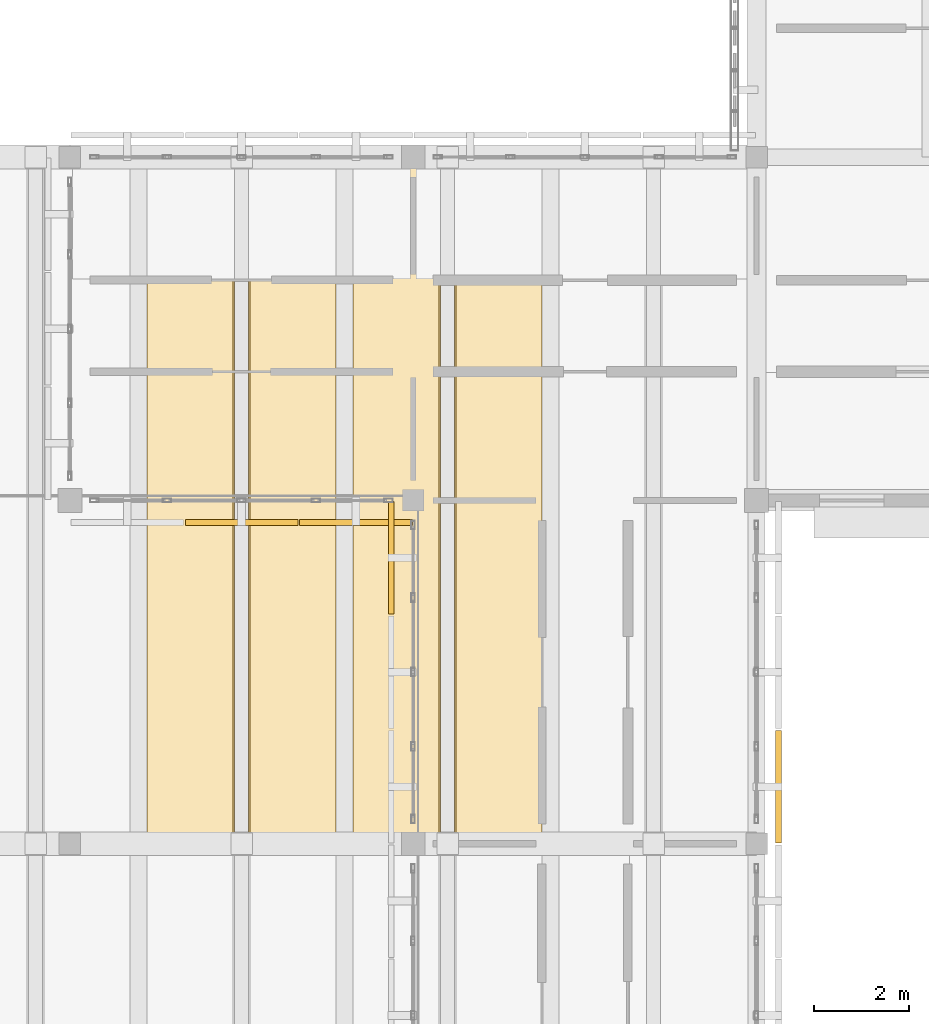
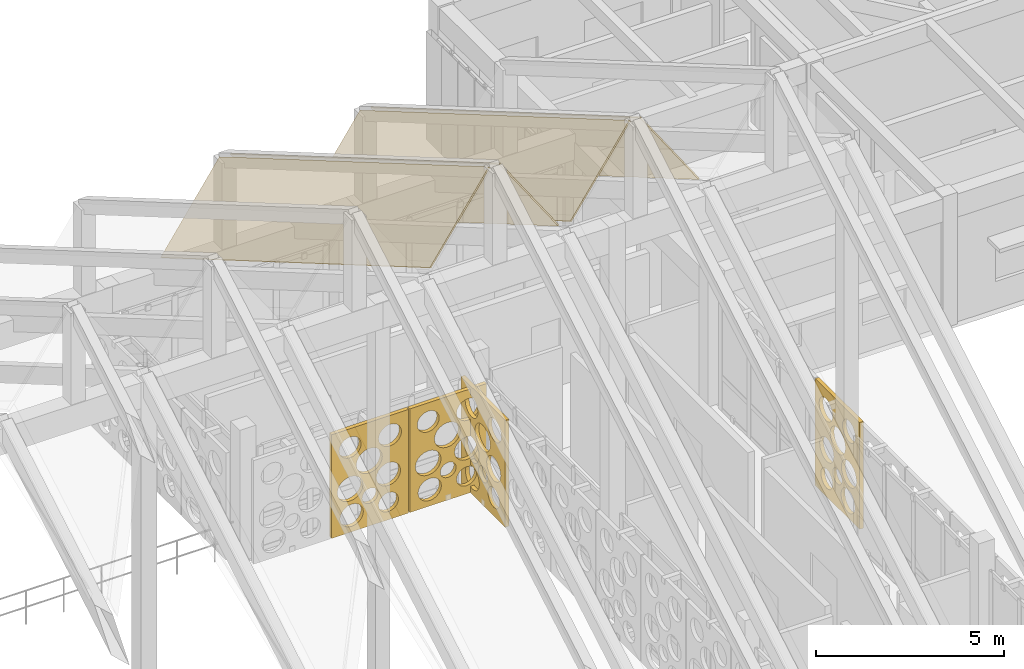
# One storey, part 163 of 171: 8 coverings.
"""IFC4 building model written with IfcOpenShell, lengths in metres."""

import ifcopenshell
import ifcopenshell.guid

model = None  # the IFC model being written
_history = None  # IfcOwnerHistory: only IFC2X3 demands one
_inside = {}  # id of a spatial element -> (the spatial element, [elements in it])
_under = {}  # id of a project, library or spatial element -> (it, [spatial elements below it])
_declared = {}  # id of a project -> (the project, [libraries it declares])
_typed = {}  # id of a type object -> (the type object, [elements of that type])
_made_of = {}  # id of a material, layer set ... -> (it, [elements and type objects made of it])


def new_model(schema):
    """Start an empty IFC model of exactly this schema.

    Asked for "IFC4X3", IfcOpenShell would pick the latest addendum, in which some entities
    have other attributes; the version numbers below select the first issue.
    IFC2X3 requires an IfcOwnerHistory on every rooted entity: one is made here for all.
    """
    global model, _history
    if schema == "IFC4X3":
        model = ifcopenshell.file(schema_version=(4, 3, 0, 0))
    else:
        model = ifcopenshell.file(schema=schema)
    _inside.clear()
    _under.clear()
    _declared.clear()
    _typed.clear()
    _made_of.clear()
    _history = None
    if model.schema == "IFC2X3":
        org = make("IfcOrganization", Name="unknown")
        user = make(
            "IfcPersonAndOrganization",
            ThePerson=make("IfcPerson", FamilyName="unknown"),
            TheOrganization=org,
        )
        app = make(
            "IfcApplication",
            ApplicationDeveloper=org,
            Version="unknown",
            ApplicationFullName="unknown",
            ApplicationIdentifier="unknown",
        )
        _history = make(
            "IfcOwnerHistory",
            OwningUser=user,
            OwningApplication=app,
            ChangeAction="ADDED",
            CreationDate=0,
        )
    return model


def make(cls, **values):
    """One entity of the class cls with the attributes given. An attribute that is None is left unset."""
    return model.create_entity(
        cls, **{name: value for name, value in values.items() if value is not None}
    )


def rooted(cls, **values):
    """An entity with a GlobalId (a new one), such as an element, a storey or a relation."""
    return make(cls, GlobalId=ifcopenshell.guid.new(), OwnerHistory=_history, **values)


def si_unit(unit_type, name, prefix=None):
    """IfcSIUnit, for example si_unit("LENGTHUNIT", "METRE", prefix="MILLI")."""
    return make("IfcSIUnit", UnitType=unit_type, Prefix=prefix, Name=name)


def assignment(units):
    """IfcUnitAssignment: the units of a project."""
    return None if units is None else make("IfcUnitAssignment", Units=units)


def point(xyz):
    """IfcCartesianPoint."""
    return None if xyz is None else make("IfcCartesianPoint", Coordinates=xyz)


def direction(xyz):
    """IfcDirection."""
    return None if xyz is None else make("IfcDirection", DirectionRatios=xyz)


def frame(location, z_axis=None, x_axis=None):
    """IfcAxis2Placement3D, a coordinate frame: its origin and axes. An axis left out is left unset."""
    return make(
        "IfcAxis2Placement3D",
        Location=point(location),
        Axis=direction(z_axis),
        RefDirection=direction(x_axis),
    )


def origin():
    """The frame at (0, 0, 0) with its axes left unset."""
    return frame((0.0, 0.0, 0.0))


def place(relative_to, where):
    """IfcLocalPlacement: puts the frame where relative to a parent placement (None: the world)."""
    return make(
        "IfcLocalPlacement", PlacementRelTo=relative_to, RelativePlacement=where
    )


def context(
    kind, dimensions, precision=None, world=None, true_north=None, identifier=None
):
    """IfcGeometricRepresentationContext, for example the 3D "Model" context."""
    return make(
        "IfcGeometricRepresentationContext",
        ContextIdentifier=identifier,
        ContextType=kind,
        CoordinateSpaceDimension=dimensions,
        Precision=precision,
        WorldCoordinateSystem=world,
        TrueNorth=true_north,
    )


def subcontext(parent, identifier, kind, view, scale=None):
    """IfcGeometricRepresentationSubContext, for example "Body" below "Model"."""
    return make(
        "IfcGeometricRepresentationSubContext",
        ContextIdentifier=identifier,
        ContextType=kind,
        ParentContext=parent,
        TargetScale=scale,
        TargetView=view,
    )


def project(units=None, contexts=None):
    """IfcProject with its units and contexts."""
    return rooted(
        "IfcProject",
        Name="project",
        RepresentationContexts=contexts,
        UnitsInContext=assignment(units),
    )


def spatial(cls, under=None, at=None, **own):
    """A site, building, storey or space (cls), placed at a placement, below another one or the project."""
    s = rooted(cls, ObjectPlacement=at, **own)
    if under is not None:
        _under.setdefault(under.id(), (under, []))[1].append(s)
    return s


def polyline(points):
    """IfcPolyline through the points."""
    return make("IfcPolyline", Points=[point(p) for p in points])


def outline(outer, holes=None, kind="AREA"):
    """IfcArbitraryClosedProfileDef: a profile drawn as a closed curve; with holes, ...WithVoids."""
    if holes is None:
        return make("IfcArbitraryClosedProfileDef", ProfileType=kind, OuterCurve=outer)
    return make(
        "IfcArbitraryProfileDefWithVoids",
        ProfileType=kind,
        OuterCurve=outer,
        InnerCurves=holes,
    )


def extrude(swept, where, along, depth):
    """IfcExtrudedAreaSolid: the profile swept, set in the frame where, extruded along a direction by depth."""
    return make(
        "IfcExtrudedAreaSolid",
        SweptArea=swept,
        Position=where,
        ExtrudedDirection=direction(along),
        Depth=depth,
    )


def shape(context_of_items, identifier, shape_type, items):
    """IfcShapeRepresentation: the items that make up one representation, for example the "Body"."""
    return make(
        "IfcShapeRepresentation",
        ContextOfItems=context_of_items,
        RepresentationIdentifier=identifier,
        RepresentationType=shape_type,
        Items=items,
    )


def material(Name=None, Category=None):
    """IfcMaterial."""
    return make("IfcMaterial", Name=Name, Category=Category)


def layer(
    of_material, thickness, ventilated=None, Name=None, Category=None, Priority=None
):
    """IfcMaterialLayer: one layer of a wall or slab, of a material (None: an air gap)."""
    return make(
        "IfcMaterialLayer",
        Material=of_material,
        LayerThickness=thickness,
        IsVentilated=ventilated,
        Name=Name,
        Category=Category,
        Priority=Priority,
    )


def layer_set(layers, Name=None):
    """IfcMaterialLayerSet."""
    return make("IfcMaterialLayerSet", MaterialLayers=layers, LayerSetName=Name)


def made_of(thing, what):
    """Note that an element or type object is made of a material, layer set ...; save() writes the relation."""
    if what is not None:
        _made_of.setdefault(what.id(), (what, []))[1].append(thing)
    return thing


def type_object(cls, material=None, **own):
    """A type object (cls), such as IfcWallType, which elements share."""
    return made_of(rooted(cls, **own), material)


def element(
    cls,
    number,
    at=None,
    inside=None,
    cuts=None,
    type_object=None,
    material=None,
    context=None,
    identifier="Body",
    shape_type=None,
    held_by="IfcProductDefinitionShape",
    body=None,
    shapes=None,
    **own,
):
    """One element of the class cls, such as IfcWall. Its Tag is "e" and its number.

    at: its placement. inside: the storey or other place that contains it. cuts: it is an
    opening in that element (IfcRelVoidsElement). A single representation is given by context,
    identifier, shape_type and body (its items); several are given by shapes. held_by: the class
    of the entity that holds the representations. save() writes the other relations.
    """
    e = rooted(cls, Tag="e%d" % number, ObjectPlacement=at, **own)
    if body is not None:
        shapes = [shape(context, identifier, shape_type, body)]
    if shapes is not None:
        e.Representation = make(held_by, Representations=shapes)
    if inside is not None:
        _inside.setdefault(inside.id(), (inside, []))[1].append(e)
    if cuts is not None:
        rooted(
            "IfcRelVoidsElement", RelatingBuildingElement=cuts, RelatedOpeningElement=e
        )
    if type_object is not None:
        _typed.setdefault(type_object.id(), (type_object, []))[1].append(e)
    return made_of(e, material)


def aggregate(whole, parts):
    """IfcRelAggregates: a whole, such as a stair, and the parts it consists of."""
    return rooted("IfcRelAggregates", RelatingObject=whole, RelatedObjects=parts)


def save(model, path):
    """Write the relations noted so far, then the file.

    IfcRelAggregates (storeys below a building ...), IfcRelContainedInSpatialStructure (elements
    in a storey), IfcRelDefinesByType, IfcRelAssociatesMaterial and IfcRelDeclares: one each for
    every whole, place, type object, material and project.
    """
    for whole, parts in _under.values():
        aggregate(whole, parts)
    for where, things in _inside.values():
        rooted(
            "IfcRelContainedInSpatialStructure",
            RelatedElements=things,
            RelatingStructure=where,
        )
    for kind, things in _typed.values():
        rooted("IfcRelDefinesByType", RelatedObjects=things, RelatingType=kind)
    for what, things in _made_of.values():
        rooted("IfcRelAssociatesMaterial", RelatedObjects=things, RelatingMaterial=what)
    for by, libraries in _declared.values():
        rooted("IfcRelDeclares", RelatingContext=by, RelatedDefinitions=libraries)
    model.write(path)


model = new_model("IFC4")

# Units and contexts
model_context = context("Model", 3, precision=1e-05, world=origin(), true_north=direction((0.0, 1.0)))
body_context = subcontext(model_context, "Body", "Model", "MODEL_VIEW")
ifc_project = project(units=[si_unit("LENGTHUNIT", "METRE"), si_unit("AREAUNIT", "SQUARE_METRE"), si_unit("VOLUMEUNIT", "CUBIC_METRE"), si_unit("PLANEANGLEUNIT", "RADIAN"), si_unit("MASSUNIT", "GRAM", prefix="KILO")], contexts=[model_context])

# Site, building, storey
site_placement = place(None, origin())
site = spatial("IfcSite", under=ifc_project, at=site_placement, CompositionType="ELEMENT")
building_placement = place(site_placement, origin())
building = spatial("IfcBuilding", under=site, at=building_placement, Name="Aldebral Square Health Centre", CompositionType="ELEMENT")
storey_placement = place(building_placement, frame((0.0, 0.0, 4.5)))
storey = spatial("IfcBuildingStorey", under=building, at=storey_placement, Name="L01", CompositionType="ELEMENT", Elevation=4.5)

# Coverings
ifc_material_1 = material(Name="Insulated mineral standing-seam roofing")
ifc_layer_1 = layer(ifc_material_1, 0.0400390625, Name="Insulated mineral standing-seam roofing")
ifc_layer_set_1 = layer_set([ifc_layer_1], Name="Insulated mineral standing-seam roofing")
covering_type_1 = type_object("IfcCoveringType", Name="COV-RF-40", PredefinedType="ROOFING", material=ifc_layer_set_1)
covering_1_placement = place(storey_placement, frame((97.02490234375, 100.800048828125, 7.37451171875), z_axis=(-0.783166464322, 0.313311395424, 0.537109168288), x_axis=(-0.565586180238, 0.0, -0.824689197652)))
element("IfcCovering", 1, at=covering_1_placement, inside=storey, type_object=covering_type_1, Name="Waiting Hall folded-plate roof bay 8 NW standing-seam roofing", PredefinedType="ROOFING", context=body_context, shape_type="SweptSolid", body=[
    extrude(outline(polyline([(0.0, 0.0), (3.19989157507911, 0.0), (-3.6986255096734153, 15.100385570024907), (-6.898517084752526, 15.100385570024907), (0.0, 0.0)])), origin(), (0.0, 0.0, -1.0), 0.0400390625),
])
covering_2_placement = place(storey_placement, frame((99.18505859375, 100.800048828125, 4.735595703125), z_axis=(0.783125616046, 0.3133373167, 0.537153605085), x_axis=(-0.565638067086, 0.0, 0.82465361035)))
element("IfcCovering", 2, at=covering_2_placement, inside=storey, type_object=covering_type_1, Name="Waiting Hall folded-plate roof bay 8 NE standing-seam roofing", PredefinedType="ROOFING", context=body_context, shape_type="SweptSolid", body=[
    extrude(outline(polyline([(0.0, 0.0), (3.2000296639766255, 5.551115123125783e-17), (10.09824906129536, 15.100521563128028), (6.898219397318735, 15.100521563128028), (0.0, 0.0)])), origin(), (0.0, 0.0, -1.0), 0.0400390625),
])
covering_3_placement = place(storey_placement, frame((101.344970703125, 100.800048828125, 7.37451171875), z_axis=(-0.783125616046, 0.3133373167, 0.537153605085), x_axis=(-0.565638067086, 0.0, -0.82465361035)))
element("IfcCovering", 3, at=covering_3_placement, inside=storey, type_object=covering_type_1, Name="Waiting Hall folded-plate roof bay 9 NW standing-seam roofing", PredefinedType="ROOFING", context=body_context, shape_type="SweptSolid", body=[
    extrude(outline(polyline([(0.0, 0.0), (3.2000296639766255, -5.551115123125783e-17), (-3.6981897333421103, 15.100521563128028), (-6.898219397318735, 15.100521563128028), (0.0, 0.0)])), origin(), (0.0, 0.0, -1.0), 0.0400390625),
])
covering_4_placement = place(storey_placement, frame((103.5048828125, 100.800048828125, 4.735595703125), z_axis=(0.783166464322, 0.313311395424, 0.537109168288), x_axis=(-0.565586180238, 0.0, 0.824689197652)))
element("IfcCovering", 4, at=covering_4_placement, inside=storey, type_object=covering_type_1, Name="Waiting Hall folded-plate roof bay 9 NE standing-seam roofing", PredefinedType="ROOFING", context=body_context, shape_type="SweptSolid", body=[
    extrude(outline(polyline([(0.0, 0.0), (3.19989157507911, 0.0), (10.098408659831637, 15.100385570024905), (6.898517084752526, 15.100385570024907), (0.0, 0.0)])), origin(), (0.0, 0.0, -1.0), 0.0400390625),
])
ifc_material_2 = material(Name="Cream cantera perforated stone screen", Category="masonry")
ifc_layer_2 = layer(ifc_material_2, 0.1201171875, Name="Cream cantera perforated stone screen", Category="masonry")
ifc_layer_set_2 = layer_set([ifc_layer_2], Name="Cream cantera perforated stone screen")
covering_type_2 = type_object("IfcCoveringType", Name="COV-SCR-120", PredefinedType="CLADDING", material=ifc_layer_set_2)
covering_5_placement = place(storey_placement, frame((96.02001953125, 93.139892578125, 0.0), z_axis=(0.0, 0.0, 1.0), x_axis=(1.0, 0.0, 0.0)))
element("IfcCovering", 5, at=covering_5_placement, inside=storey, type_object=covering_type_2, Name="L01 V1 circular-aperture stone screen L01-V1-13-13-S.2", PredefinedType="CLADDING", context=body_context, shape_type="SweptSolid", body=[
    extrude(outline(polyline([(0.0, 0.0), (2.35986328125, 0.0), (2.35986328125, 3.3701171875), (0.0, 3.3701171875), (0.0, 0.0)]), holes=[polyline([(0.973388671875, 0.539306640625), (0.955810546875, 0.427978515625), (0.90478515625, 0.32763671875), (0.8251953125, 0.248046875), (0.724853515625, 0.197021484375), (0.613525390625, 0.17919921875), (0.50244140625, 0.197021484375), (0.402099609375, 0.248046875), (0.322509765625, 0.32763671875), (0.271240234375, 0.427978515625), (0.253662109375, 0.539306640625), (0.271240234375, 0.650390625), (0.322509765625, 0.750732421875), (0.402099609375, 0.830322265625), (0.50244140625, 0.881591796875), (0.613525390625, 0.899169921875), (0.724853515625, 0.881591796875), (0.8251953125, 0.830322265625), (0.90478515625, 0.750732421875), (0.955810546875, 0.650390625), (0.973388671875, 0.539306640625)]), polyline([(2.0546875, 0.572998046875), (2.039794921875, 0.4775390625), (1.995849609375, 0.3916015625), (1.927734375, 0.323486328125), (1.841796875, 0.279541015625), (1.746337890625, 0.264404296875), (1.651123046875, 0.279541015625), (1.565185546875, 0.323486328125), (1.496826171875, 0.3916015625), (1.453125, 0.4775390625), (1.43798828125, 0.572998046875), (1.453125, 0.668212890625), (1.496826171875, 0.754150390625), (1.565185546875, 0.822509765625), (1.651123046875, 0.8662109375), (1.746337890625, 0.88134765625), (1.841796875, 0.8662109375), (1.927734375, 0.822509765625), (1.995849609375, 0.754150390625), (2.039794921875, 0.668212890625), (2.0546875, 0.572998046875)]), polyline([(0.9619140625, 1.415283203125), (0.942626953125, 1.293212890625), (0.886474609375, 1.182861328125), (0.798828125, 1.095458984375), (0.688720703125, 1.039306640625), (0.56640625, 1.02001953125), (0.444091796875, 1.039306640625), (0.333984375, 1.095458984375), (0.246337890625, 1.182861328125), (0.190185546875, 1.293212890625), (0.1708984375, 1.415283203125), (0.190185546875, 1.53759765625), (0.246337890625, 1.64794921875), (0.333984375, 1.7353515625), (0.444091796875, 1.79150390625), (0.56640625, 1.810791015625), (0.688720703125, 1.79150390625), (0.798828125, 1.7353515625), (0.886474609375, 1.64794921875), (0.942626953125, 1.53759765625), (0.9619140625, 1.415283203125)]), polyline([(2.117919921875, 1.48291015625), (2.099853515625, 1.367919921875), (2.047119140625, 1.264404296875), (1.96484375, 1.18212890625), (1.861328125, 1.12939453125), (1.746337890625, 1.111083984375), (1.631591796875, 1.12939453125), (1.528076171875, 1.18212890625), (1.44580078125, 1.264404296875), (1.39306640625, 1.367919921875), (1.374755859375, 1.48291015625), (1.39306640625, 1.59765625), (1.44580078125, 1.701171875), (1.528076171875, 1.783447265625), (1.631591796875, 1.836181640625), (1.746337890625, 1.8544921875), (1.861328125, 1.836181640625), (1.96484375, 1.783447265625), (2.047119140625, 1.701171875), (2.099853515625, 1.59765625), (2.117919921875, 1.48291015625)]), polyline([(1.4248046875, 0.977294921875), (1.412841796875, 0.901611328125), (1.3779296875, 0.83349609375), (1.32373046875, 0.779296875), (1.255615234375, 0.74462890625), (1.179931640625, 0.732666015625), (1.1044921875, 0.74462890625), (1.0361328125, 0.779296875), (0.98193359375, 0.83349609375), (0.947265625, 0.901611328125), (0.935302734375, 0.977294921875), (0.947265625, 1.052978515625), (0.98193359375, 1.12109375), (1.0361328125, 1.17529296875), (1.1044921875, 1.2099609375), (1.179931640625, 1.221923828125), (1.255615234375, 1.2099609375), (1.32373046875, 1.17529296875), (1.3779296875, 1.12109375), (1.412841796875, 1.052978515625), (1.4248046875, 0.977294921875)]), polyline([(1.555419921875, 2.123046875), (1.535888671875, 1.999755859375), (1.479248046875, 1.888427734375), (1.390869140625, 1.80029296875), (1.27978515625, 1.74365234375), (1.156494140625, 1.72412109375), (1.032958984375, 1.74365234375), (0.921875, 1.80029296875), (0.83349609375, 1.888427734375), (0.77685546875, 1.999755859375), (0.75732421875, 2.123046875), (0.77685546875, 2.246337890625), (0.83349609375, 2.357666015625), (0.921875, 2.446044921875), (1.032958984375, 2.502685546875), (1.156494140625, 2.522216796875), (1.27978515625, 2.502685546875), (1.390869140625, 2.446044921875), (1.479248046875, 2.357666015625), (1.535888671875, 2.246337890625), (1.555419921875, 2.123046875)]), polyline([(0.904296875, 2.763427734375), (0.8876953125, 2.658935546875), (0.839599609375, 2.56494140625), (0.764892578125, 2.490234375), (0.6708984375, 2.442138671875), (0.56640625, 2.425537109375), (0.4619140625, 2.442138671875), (0.367919921875, 2.490234375), (0.293212890625, 2.56494140625), (0.2451171875, 2.658935546875), (0.228515625, 2.763427734375), (0.2451171875, 2.86767578125), (0.293212890625, 2.9619140625), (0.367919921875, 3.03662109375), (0.4619140625, 3.084716796875), (0.56640625, 3.101318359375), (0.6708984375, 3.084716796875), (0.764892578125, 3.03662109375), (0.839599609375, 2.9619140625), (0.8876953125, 2.86767578125), (0.904296875, 2.763427734375)]), polyline([(2.14599609375, 2.729736328125), (2.12890625, 2.620849609375), (2.078857421875, 2.5224609375), (2.000732421875, 2.444580078125), (1.902587890625, 2.39453125), (1.793701171875, 2.377197265625), (1.6845703125, 2.39453125), (1.58642578125, 2.444580078125), (1.50830078125, 2.5224609375), (1.458251953125, 2.620849609375), (1.441162109375, 2.729736328125), (1.458251953125, 2.838623046875), (1.50830078125, 2.93701171875), (1.58642578125, 3.014892578125), (1.6845703125, 3.06494140625), (1.793701171875, 3.082275390625), (1.902587890625, 3.06494140625), (2.000732421875, 3.014892578125), (2.078857421875, 2.93701171875), (2.12890625, 2.838623046875), (2.14599609375, 2.729736328125)])]), frame((0.0, 0.06005859375, 0.0), z_axis=(0.0, -1.0, 0.0), x_axis=(1.0, 0.0, 0.0)), (0.0, 0.0, 1.0), 0.1201171875),
])
covering_6_placement = place(storey_placement, frame((98.419921875, 93.139892578125, 0.0), z_axis=(0.0, 0.0, 1.0), x_axis=(1.0, 0.0, 0.0)))
element("IfcCovering", 6, at=covering_6_placement, inside=storey, type_object=covering_type_2, Name="L01 V1 circular-aperture stone screen L01-V1-13-13-S.3", PredefinedType="CLADDING", context=body_context, shape_type="SweptSolid", body=[
    extrude(outline(polyline([(0.0, 0.0), (2.360107421875, 0.0), (2.360107421875, 3.3701171875), (0.0, 3.3701171875), (0.0, 0.0)]), holes=[polyline([(0.973388671875, 0.539306640625), (0.955810546875, 0.427978515625), (0.90478515625, 0.32763671875), (0.8251953125, 0.248046875), (0.724853515625, 0.197021484375), (0.613525390625, 0.17919921875), (0.50244140625, 0.197021484375), (0.402099609375, 0.248046875), (0.322509765625, 0.32763671875), (0.271240234375, 0.427978515625), (0.253662109375, 0.539306640625), (0.271240234375, 0.650390625), (0.322509765625, 0.750732421875), (0.402099609375, 0.830322265625), (0.50244140625, 0.881591796875), (0.613525390625, 0.899169921875), (0.724853515625, 0.881591796875), (0.8251953125, 0.830322265625), (0.90478515625, 0.750732421875), (0.955810546875, 0.650390625), (0.973388671875, 0.539306640625)]), polyline([(2.0546875, 0.572998046875), (2.039794921875, 0.4775390625), (1.995849609375, 0.3916015625), (1.927734375, 0.323486328125), (1.841796875, 0.279541015625), (1.746337890625, 0.264404296875), (1.651123046875, 0.279541015625), (1.565185546875, 0.323486328125), (1.496826171875, 0.3916015625), (1.453125, 0.4775390625), (1.43798828125, 0.572998046875), (1.453125, 0.668212890625), (1.496826171875, 0.754150390625), (1.565185546875, 0.822509765625), (1.651123046875, 0.8662109375), (1.746337890625, 0.88134765625), (1.841796875, 0.8662109375), (1.927734375, 0.822509765625), (1.995849609375, 0.754150390625), (2.039794921875, 0.668212890625), (2.0546875, 0.572998046875)]), polyline([(0.9619140625, 1.415283203125), (0.942626953125, 1.293212890625), (0.886474609375, 1.182861328125), (0.798828125, 1.095458984375), (0.688720703125, 1.039306640625), (0.56640625, 1.02001953125), (0.444091796875, 1.039306640625), (0.333984375, 1.095458984375), (0.246337890625, 1.182861328125), (0.190185546875, 1.293212890625), (0.1708984375, 1.415283203125), (0.190185546875, 1.53759765625), (0.246337890625, 1.64794921875), (0.333984375, 1.7353515625), (0.444091796875, 1.79150390625), (0.56640625, 1.810791015625), (0.688720703125, 1.79150390625), (0.798828125, 1.7353515625), (0.886474609375, 1.64794921875), (0.942626953125, 1.53759765625), (0.9619140625, 1.415283203125)]), polyline([(2.117919921875, 1.48291015625), (2.099853515625, 1.367919921875), (2.047119140625, 1.264404296875), (1.96484375, 1.18212890625), (1.861328125, 1.12939453125), (1.746337890625, 1.111083984375), (1.631591796875, 1.12939453125), (1.528076171875, 1.18212890625), (1.44580078125, 1.264404296875), (1.39306640625, 1.367919921875), (1.374755859375, 1.48291015625), (1.39306640625, 1.59765625), (1.44580078125, 1.701171875), (1.528076171875, 1.783447265625), (1.631591796875, 1.836181640625), (1.746337890625, 1.8544921875), (1.861328125, 1.836181640625), (1.96484375, 1.783447265625), (2.047119140625, 1.701171875), (2.099853515625, 1.59765625), (2.117919921875, 1.48291015625)]), polyline([(1.4248046875, 0.977294921875), (1.412841796875, 0.901611328125), (1.3779296875, 0.83349609375), (1.32373046875, 0.779296875), (1.255615234375, 0.74462890625), (1.179931640625, 0.732666015625), (1.1044921875, 0.74462890625), (1.0361328125, 0.779296875), (0.98193359375, 0.83349609375), (0.947265625, 0.901611328125), (0.935302734375, 0.977294921875), (0.947265625, 1.052978515625), (0.98193359375, 1.12109375), (1.0361328125, 1.17529296875), (1.1044921875, 1.2099609375), (1.179931640625, 1.221923828125), (1.255615234375, 1.2099609375), (1.32373046875, 1.17529296875), (1.3779296875, 1.12109375), (1.412841796875, 1.052978515625), (1.4248046875, 0.977294921875)]), polyline([(1.555419921875, 2.123046875), (1.535888671875, 1.999755859375), (1.479248046875, 1.888427734375), (1.390869140625, 1.80029296875), (1.27978515625, 1.74365234375), (1.156494140625, 1.72412109375), (1.032958984375, 1.74365234375), (0.921875, 1.80029296875), (0.83349609375, 1.888427734375), (0.77685546875, 1.999755859375), (0.75732421875, 2.123046875), (0.77685546875, 2.246337890625), (0.83349609375, 2.357666015625), (0.921875, 2.446044921875), (1.032958984375, 2.502685546875), (1.156494140625, 2.522216796875), (1.27978515625, 2.502685546875), (1.390869140625, 2.446044921875), (1.479248046875, 2.357666015625), (1.535888671875, 2.246337890625), (1.555419921875, 2.123046875)]), polyline([(0.904296875, 2.763427734375), (0.8876953125, 2.658935546875), (0.839599609375, 2.56494140625), (0.764892578125, 2.490234375), (0.6708984375, 2.442138671875), (0.56640625, 2.425537109375), (0.4619140625, 2.442138671875), (0.367919921875, 2.490234375), (0.293212890625, 2.56494140625), (0.2451171875, 2.658935546875), (0.228515625, 2.763427734375), (0.2451171875, 2.86767578125), (0.293212890625, 2.9619140625), (0.367919921875, 3.03662109375), (0.4619140625, 3.084716796875), (0.56640625, 3.101318359375), (0.6708984375, 3.084716796875), (0.764892578125, 3.03662109375), (0.839599609375, 2.9619140625), (0.8876953125, 2.86767578125), (0.904296875, 2.763427734375)]), polyline([(2.14599609375, 2.729736328125), (2.12890625, 2.620849609375), (2.078857421875, 2.5224609375), (2.000732421875, 2.444580078125), (1.902587890625, 2.39453125), (1.793701171875, 2.377197265625), (1.6845703125, 2.39453125), (1.58642578125, 2.444580078125), (1.50830078125, 2.5224609375), (1.458251953125, 2.620849609375), (1.441162109375, 2.729736328125), (1.458251953125, 2.838623046875), (1.50830078125, 2.93701171875), (1.58642578125, 3.014892578125), (1.6845703125, 3.06494140625), (1.793701171875, 3.082275390625), (1.902587890625, 3.06494140625), (2.000732421875, 3.014892578125), (2.078857421875, 2.93701171875), (2.12890625, 2.838623046875), (2.14599609375, 2.729736328125)])]), frame((0.0, 0.06005859375, 0.0), z_axis=(0.0, -1.0, 0.0), x_axis=(1.0, 0.0, 0.0)), (0.0, 0.0, 1.0), 0.1201171875),
])
covering_7_placement = place(storey_placement, frame((100.340087890625, 93.580078125, 0.0), z_axis=(0.0, 0.0, 1.0), x_axis=(0.0, -1.0, 0.0)))
element("IfcCovering", 7, at=covering_7_placement, inside=storey, type_object=covering_type_2, Name="L01 V1 circular-aperture stone screen L01-V1-14-12-W.1", PredefinedType="CLADDING", context=body_context, shape_type="SweptSolid", body=[
    extrude(outline(polyline([(0.0, 0.0), (2.360107421875, 0.0), (2.360107421875, 3.469970703125), (0.0, 3.469970703125), (0.0, 0.0)]), holes=[polyline([(0.98486328125, 0.55517578125), (0.966552734375, 0.4404296875), (0.913818359375, 0.3369140625), (0.831787109375, 0.2548828125), (0.728271484375, 0.2021484375), (0.613525390625, 0.18408203125), (0.498779296875, 0.2021484375), (0.3955078125, 0.2548828125), (0.313232421875, 0.3369140625), (0.260498046875, 0.4404296875), (0.242431640625, 0.55517578125), (0.260498046875, 0.669921875), (0.313232421875, 0.7734375), (0.3955078125, 0.85546875), (0.498779296875, 0.908203125), (0.613525390625, 0.926513671875), (0.728271484375, 0.908203125), (0.831787109375, 0.85546875), (0.913818359375, 0.7734375), (0.966552734375, 0.669921875), (0.98486328125, 0.55517578125)]), polyline([(2.059326171875, 0.58984375), (2.0439453125, 0.4931640625), (1.99951171875, 0.406005859375), (1.930419921875, 0.336669921875), (1.843017578125, 0.292236328125), (1.746337890625, 0.277099609375), (1.649658203125, 0.292236328125), (1.5625, 0.336669921875), (1.4931640625, 0.406005859375), (1.44873046875, 0.4931640625), (1.43359375, 0.58984375), (1.44873046875, 0.6865234375), (1.4931640625, 0.77392578125), (1.5625, 0.843017578125), (1.649658203125, 0.887451171875), (1.746337890625, 0.90283203125), (1.843017578125, 0.887451171875), (1.930419921875, 0.843017578125), (1.99951171875, 0.77392578125), (2.0439453125, 0.6865234375), (2.059326171875, 0.58984375)]), polyline([(0.970703125, 1.45751953125), (0.950927734375, 1.33251953125), (0.8935546875, 1.2197265625), (0.803955078125, 1.13037109375), (0.69140625, 1.072998046875), (0.56640625, 1.052978515625), (0.44140625, 1.072998046875), (0.328857421875, 1.13037109375), (0.2392578125, 1.2197265625), (0.181884765625, 1.33251953125), (0.162109375, 1.45751953125), (0.181884765625, 1.582275390625), (0.2392578125, 1.695068359375), (0.328857421875, 1.784423828125), (0.44140625, 1.841796875), (0.56640625, 1.86181640625), (0.69140625, 1.841796875), (0.803955078125, 1.784423828125), (0.8935546875, 1.695068359375), (0.950927734375, 1.582275390625), (0.970703125, 1.45751953125)]), polyline([(2.124267578125, 1.52685546875), (2.105712890625, 1.41015625), (2.052001953125, 1.3046875), (1.968505859375, 1.22119140625), (1.863037109375, 1.16748046875), (1.746337890625, 1.14892578125), (1.629638671875, 1.16748046875), (1.5244140625, 1.22119140625), (1.440673828125, 1.3046875), (1.38720703125, 1.41015625), (1.36865234375, 1.52685546875), (1.38720703125, 1.6435546875), (1.440673828125, 1.748779296875), (1.5244140625, 1.83251953125), (1.629638671875, 1.88623046875), (1.746337890625, 1.904541015625), (1.863037109375, 1.88623046875), (1.968505859375, 1.83251953125), (2.052001953125, 1.748779296875), (2.105712890625, 1.6435546875), (2.124267578125, 1.52685546875)]), polyline([(1.42431640625, 1.00634765625), (1.412353515625, 0.9306640625), (1.377685546875, 0.862548828125), (1.32373046875, 0.80859375), (1.255615234375, 0.77392578125), (1.179931640625, 0.761962890625), (1.1044921875, 0.77392578125), (1.036376953125, 0.80859375), (0.982177734375, 0.862548828125), (0.947509765625, 0.9306640625), (0.935546875, 1.00634765625), (0.947509765625, 1.081787109375), (0.982177734375, 1.14990234375), (1.036376953125, 1.2041015625), (1.1044921875, 1.23876953125), (1.179931640625, 1.250732421875), (1.255615234375, 1.23876953125), (1.32373046875, 1.2041015625), (1.377685546875, 1.14990234375), (1.412353515625, 1.081787109375), (1.42431640625, 1.00634765625)]), polyline([(1.563232421875, 2.18603515625), (1.54345703125, 2.060302734375), (1.485595703125, 1.947021484375), (1.3955078125, 1.85693359375), (1.2822265625, 1.799072265625), (1.156494140625, 1.779296875), (1.03076171875, 1.799072265625), (0.917236328125, 1.85693359375), (0.8271484375, 1.947021484375), (0.76953125, 2.060302734375), (0.74951171875, 2.18603515625), (0.76953125, 2.311767578125), (0.8271484375, 2.42529296875), (0.917236328125, 2.515380859375), (1.03076171875, 2.572998046875), (1.156494140625, 2.593017578125), (1.2822265625, 2.572998046875), (1.3955078125, 2.515380859375), (1.485595703125, 2.42529296875), (1.54345703125, 2.311767578125), (1.563232421875, 2.18603515625)]), polyline([(0.9091796875, 2.845458984375), (0.892333984375, 2.739501953125), (0.84375, 2.64404296875), (0.767822265625, 2.568115234375), (0.67236328125, 2.51953125), (0.56640625, 2.502685546875), (0.46044921875, 2.51953125), (0.364990234375, 2.568115234375), (0.2890625, 2.64404296875), (0.240478515625, 2.739501953125), (0.2236328125, 2.845458984375), (0.240478515625, 2.951416015625), (0.2890625, 3.046875), (0.364990234375, 3.12255859375), (0.46044921875, 3.17138671875), (0.56640625, 3.18798828125), (0.67236328125, 3.17138671875), (0.767822265625, 3.12255859375), (0.84375, 3.046875), (0.892333984375, 2.951416015625), (0.9091796875, 2.845458984375)]), polyline([(2.1513671875, 2.810791015625), (2.1337890625, 2.7001953125), (2.0830078125, 2.600341796875), (2.00390625, 2.521240234375), (1.904052734375, 2.470458984375), (1.793701171875, 2.452880859375), (1.68310546875, 2.470458984375), (1.583251953125, 2.521240234375), (1.504150390625, 2.600341796875), (1.453369140625, 2.7001953125), (1.435791015625, 2.810791015625), (1.453369140625, 2.921142578125), (1.504150390625, 3.02099609375), (1.583251953125, 3.10009765625), (1.68310546875, 3.15087890625), (1.793701171875, 3.16845703125), (1.904052734375, 3.15087890625), (2.00390625, 3.10009765625), (2.0830078125, 3.02099609375), (2.1337890625, 2.921142578125), (2.1513671875, 2.810791015625)])]), frame((0.0, 0.06005859375, 0.0), z_axis=(0.0, -1.0, 0.0), x_axis=(1.0, 0.0, 0.0)), (0.0, 0.0, 1.0), 0.1201171875),
])
covering_8_placement = place(storey_placement, frame((108.4599609375, 86.419921875, 0.0), z_axis=(0.0, 0.0, 1.0), x_axis=(0.0, 1.0, 0.0)))
element("IfcCovering", 8, at=covering_8_placement, inside=storey, type_object=covering_type_2, Name="L01 V1 circular-aperture stone screen L01-V1-14-12-E.1", PredefinedType="CLADDING", context=body_context, shape_type="SweptSolid", body=[
    extrude(outline(polyline([(0.0, 0.0), (2.360107421875, 0.0), (2.360107421875, 3.469970703125), (0.0, 3.469970703125), (0.0, 0.0)]), holes=[polyline([(0.98486328125, 0.55517578125), (0.966552734375, 0.4404296875), (0.913818359375, 0.3369140625), (0.831787109375, 0.2548828125), (0.728271484375, 0.2021484375), (0.613525390625, 0.18408203125), (0.498779296875, 0.2021484375), (0.3955078125, 0.2548828125), (0.313232421875, 0.3369140625), (0.260498046875, 0.4404296875), (0.242431640625, 0.55517578125), (0.260498046875, 0.669921875), (0.313232421875, 0.7734375), (0.3955078125, 0.85546875), (0.498779296875, 0.908203125), (0.613525390625, 0.926513671875), (0.728271484375, 0.908203125), (0.831787109375, 0.85546875), (0.913818359375, 0.7734375), (0.966552734375, 0.669921875), (0.98486328125, 0.55517578125)]), polyline([(2.059326171875, 0.58984375), (2.0439453125, 0.4931640625), (1.99951171875, 0.406005859375), (1.930419921875, 0.336669921875), (1.843017578125, 0.292236328125), (1.746337890625, 0.277099609375), (1.649658203125, 0.292236328125), (1.5625, 0.336669921875), (1.4931640625, 0.406005859375), (1.44873046875, 0.4931640625), (1.43359375, 0.58984375), (1.44873046875, 0.6865234375), (1.4931640625, 0.77392578125), (1.5625, 0.843017578125), (1.649658203125, 0.887451171875), (1.746337890625, 0.90283203125), (1.843017578125, 0.887451171875), (1.930419921875, 0.843017578125), (1.99951171875, 0.77392578125), (2.0439453125, 0.6865234375), (2.059326171875, 0.58984375)]), polyline([(0.970703125, 1.45751953125), (0.950927734375, 1.33251953125), (0.8935546875, 1.2197265625), (0.803955078125, 1.13037109375), (0.69140625, 1.072998046875), (0.56640625, 1.052978515625), (0.44140625, 1.072998046875), (0.328857421875, 1.13037109375), (0.2392578125, 1.2197265625), (0.181884765625, 1.33251953125), (0.162109375, 1.45751953125), (0.181884765625, 1.582275390625), (0.2392578125, 1.695068359375), (0.328857421875, 1.784423828125), (0.44140625, 1.841796875), (0.56640625, 1.86181640625), (0.69140625, 1.841796875), (0.803955078125, 1.784423828125), (0.8935546875, 1.695068359375), (0.950927734375, 1.582275390625), (0.970703125, 1.45751953125)]), polyline([(2.124267578125, 1.52685546875), (2.105712890625, 1.41015625), (2.052001953125, 1.3046875), (1.968505859375, 1.22119140625), (1.863037109375, 1.16748046875), (1.746337890625, 1.14892578125), (1.629638671875, 1.16748046875), (1.5244140625, 1.22119140625), (1.440673828125, 1.3046875), (1.38720703125, 1.41015625), (1.36865234375, 1.52685546875), (1.38720703125, 1.6435546875), (1.440673828125, 1.748779296875), (1.5244140625, 1.83251953125), (1.629638671875, 1.88623046875), (1.746337890625, 1.904541015625), (1.863037109375, 1.88623046875), (1.968505859375, 1.83251953125), (2.052001953125, 1.748779296875), (2.105712890625, 1.6435546875), (2.124267578125, 1.52685546875)]), polyline([(1.42431640625, 1.00634765625), (1.412353515625, 0.9306640625), (1.377685546875, 0.862548828125), (1.32373046875, 0.80859375), (1.255615234375, 0.77392578125), (1.179931640625, 0.761962890625), (1.1044921875, 0.77392578125), (1.036376953125, 0.80859375), (0.982177734375, 0.862548828125), (0.947509765625, 0.9306640625), (0.935546875, 1.00634765625), (0.947509765625, 1.081787109375), (0.982177734375, 1.14990234375), (1.036376953125, 1.2041015625), (1.1044921875, 1.23876953125), (1.179931640625, 1.250732421875), (1.255615234375, 1.23876953125), (1.32373046875, 1.2041015625), (1.377685546875, 1.14990234375), (1.412353515625, 1.081787109375), (1.42431640625, 1.00634765625)]), polyline([(1.563232421875, 2.18603515625), (1.54345703125, 2.060302734375), (1.485595703125, 1.947021484375), (1.3955078125, 1.85693359375), (1.2822265625, 1.799072265625), (1.156494140625, 1.779296875), (1.03076171875, 1.799072265625), (0.917236328125, 1.85693359375), (0.8271484375, 1.947021484375), (0.76953125, 2.060302734375), (0.74951171875, 2.18603515625), (0.76953125, 2.311767578125), (0.8271484375, 2.42529296875), (0.917236328125, 2.515380859375), (1.03076171875, 2.572998046875), (1.156494140625, 2.593017578125), (1.2822265625, 2.572998046875), (1.3955078125, 2.515380859375), (1.485595703125, 2.42529296875), (1.54345703125, 2.311767578125), (1.563232421875, 2.18603515625)]), polyline([(0.9091796875, 2.845458984375), (0.892333984375, 2.739501953125), (0.84375, 2.64404296875), (0.767822265625, 2.568115234375), (0.67236328125, 2.51953125), (0.56640625, 2.502685546875), (0.46044921875, 2.51953125), (0.364990234375, 2.568115234375), (0.2890625, 2.64404296875), (0.240478515625, 2.739501953125), (0.2236328125, 2.845458984375), (0.240478515625, 2.951416015625), (0.2890625, 3.046875), (0.364990234375, 3.12255859375), (0.46044921875, 3.17138671875), (0.56640625, 3.18798828125), (0.67236328125, 3.17138671875), (0.767822265625, 3.12255859375), (0.84375, 3.046875), (0.892333984375, 2.951416015625), (0.9091796875, 2.845458984375)]), polyline([(2.1513671875, 2.810791015625), (2.1337890625, 2.7001953125), (2.0830078125, 2.600341796875), (2.00390625, 2.521240234375), (1.904052734375, 2.470458984375), (1.793701171875, 2.452880859375), (1.68310546875, 2.470458984375), (1.583251953125, 2.521240234375), (1.504150390625, 2.600341796875), (1.453369140625, 2.7001953125), (1.435791015625, 2.810791015625), (1.453369140625, 2.921142578125), (1.504150390625, 3.02099609375), (1.583251953125, 3.10009765625), (1.68310546875, 3.15087890625), (1.793701171875, 3.16845703125), (1.904052734375, 3.15087890625), (2.00390625, 3.10009765625), (2.0830078125, 3.02099609375), (2.1337890625, 2.921142578125), (2.1513671875, 2.810791015625)])]), frame((0.0, 0.06005859375, 0.0), z_axis=(0.0, -1.0, 0.0), x_axis=(1.0, 0.0, 0.0)), (0.0, 0.0, 1.0), 0.1201171875),
])

save(model, "model.ifc")
